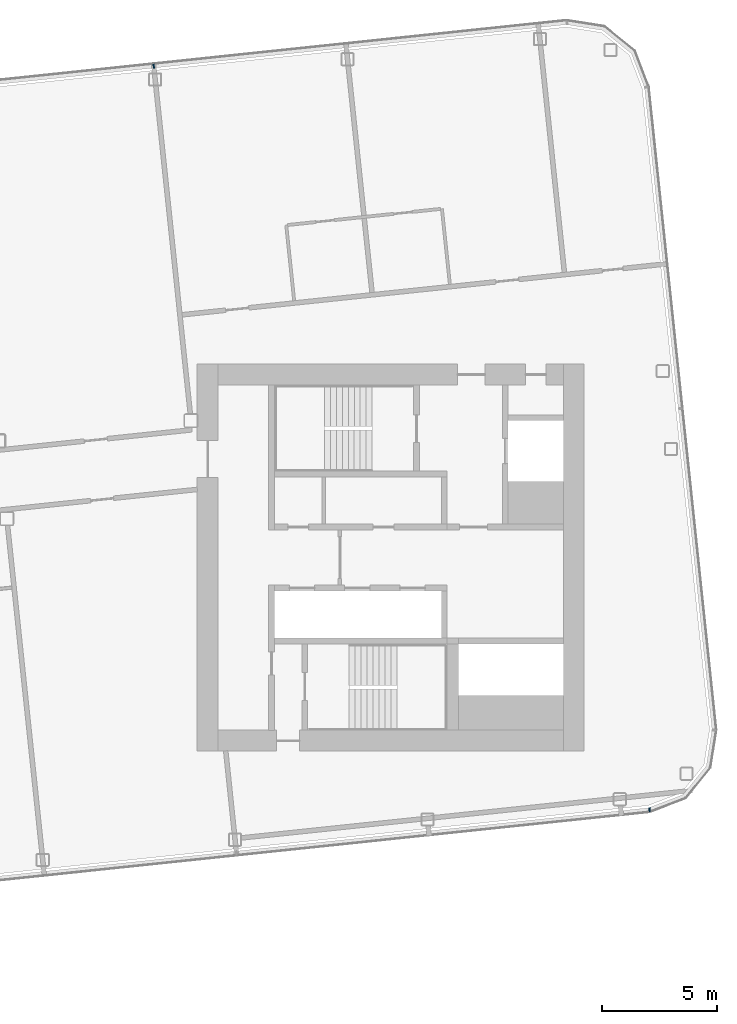
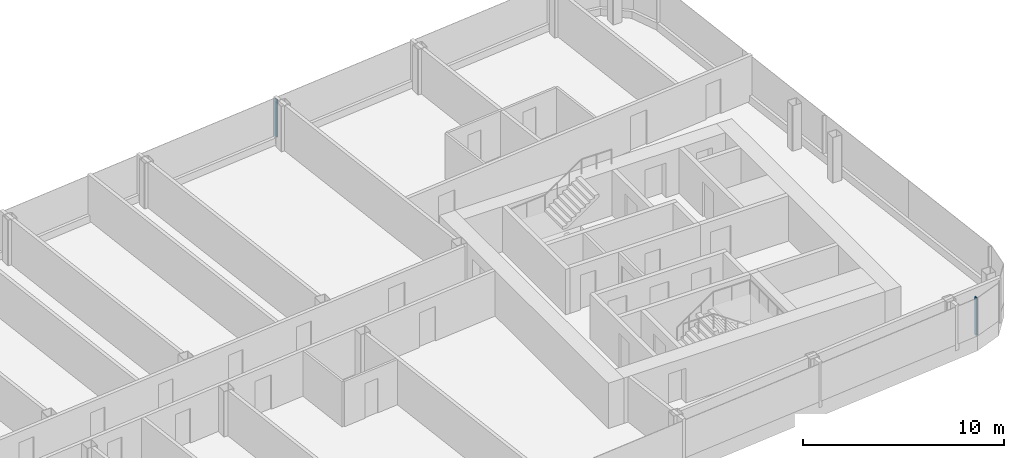
# One storey, part 11 of 26: 2 members, 2 elements without a shape of their own.
"""IFC4 building model written with IfcOpenShell, lengths in metres."""

from ifc_helpers import new_model, si_unit, direction, frame, origin, origin_2d, place, context, subcontext, project, spatial, rectangle, extrude, material, layer, layer_set, material_profile, profile_set, type_object, element, aggregate, save


model = new_model("IFC4")

# Units and contexts
model_context = context("Model", 3, precision=1e-05, world=origin(), true_north=direction((0.0, 1.0)))
body_context = subcontext(model_context, "Body", "Model", "MODEL_VIEW")
ifc_project = project(units=[si_unit("LENGTHUNIT", "METRE"), si_unit("AREAUNIT", "SQUARE_METRE"), si_unit("VOLUMEUNIT", "CUBIC_METRE"), si_unit("PLANEANGLEUNIT", "RADIAN"), si_unit("MASSUNIT", "GRAM", prefix="KILO")], contexts=[model_context])

# Site, building, storey
site_placement = place(None, origin())
site = spatial("IfcSite", under=ifc_project, at=site_placement, CompositionType="ELEMENT")
building_placement = place(site_placement, origin())
building = spatial("IfcBuilding", under=site, at=building_placement, Name="Hakoniwa Tower and Hamabe Station Hall", CompositionType="ELEMENT")
storey_placement = place(building_placement, frame((0.0, 0.0, 251.800048828125)))
storey = spatial("IfcBuildingStorey", under=building, at=storey_placement, Name="L71", CompositionType="ELEMENT", Elevation=251.800048828125)

# Curtain wall, member
ifc_material_1 = material(Name="Dark low-e laminated glass", Category="glass")
ifc_layer = layer(ifc_material_1, 0.199951171875)
ifc_layer_set = layer_set([ifc_layer], Name="CW-1 UNITISED GUEST")
curtain_wall_type = type_object("IfcCurtainWallType", Name="CW-1 UNITISED GUEST", PredefinedType="NOTDEFINED", material=ifc_layer_set)
curtain_wall_1_placement = place(storey_placement, origin())
curtain_wall_1 = element("IfcCurtainWall", 1, at=curtain_wall_1_placement, inside=storey, type_object=curtain_wall_type, Name="CW-1 curtain wall", PredefinedType="NOTDEFINED")
ifc_material_2 = material(Name="Aluminium 6063-T5 black anodised", Category="aluminium")
ifc_material_profile = material_profile(ifc_material_2, rectangle(XDim=0.06005859375, YDim=0.179931640625, at=origin_2d()), Name="CW-1 MULLION 60X180")
ifc_profile_set = profile_set([ifc_material_profile], Name="Aluminium 6063-T5 black anodised")
member_type = type_object("IfcMemberType", Name="CW-1 MULLION 60X180", PredefinedType="MULLION", material=ifc_profile_set)
member_1_placement = place(storey_placement, frame((14.911865234375, 21.343994140625, 0.349853515625), z_axis=(0.0, 0.0, 1.0), x_axis=(-0.994521895272, -0.104528464188, 0.0)))
member_1 = element("IfcMember", 2, at=member_1_placement, type_object=member_type, Name="CW-1 mullion", PredefinedType="MULLION", context=body_context, shape_type="SweptSolid", body=[
    extrude(rectangle(XDim=0.06005859375, YDim=0.179931640625, at=origin_2d()), origin(), (0.0, 0.0, 1.0), 2.300048828125),
])
aggregate(curtain_wall_1, [member_1])

curtain_wall_2_placement = place(storey_placement, origin())
curtain_wall_2 = element("IfcCurtainWall", 3, at=curtain_wall_2_placement, inside=storey, type_object=curtain_wall_type, Name="CW-1 curtain wall", PredefinedType="NOTDEFINED")
member_2_placement = place(storey_placement, frame((36.444580078125, -10.946044921875, 0.349853515625), z_axis=(0.0, 0.0, 1.0), x_axis=(0.994521895272, 0.104528464188, 0.0)))
member_2 = element("IfcMember", 4, at=member_2_placement, type_object=member_type, Name="CW-1 mullion", PredefinedType="MULLION", context=body_context, shape_type="SweptSolid", body=[
    extrude(rectangle(XDim=0.06005859375, YDim=0.179931640625, at=origin_2d()), origin(), (0.0, 0.0, 1.0), 2.300048828125),
])
aggregate(curtain_wall_2, [member_2])

save(model, "model.ifc")
